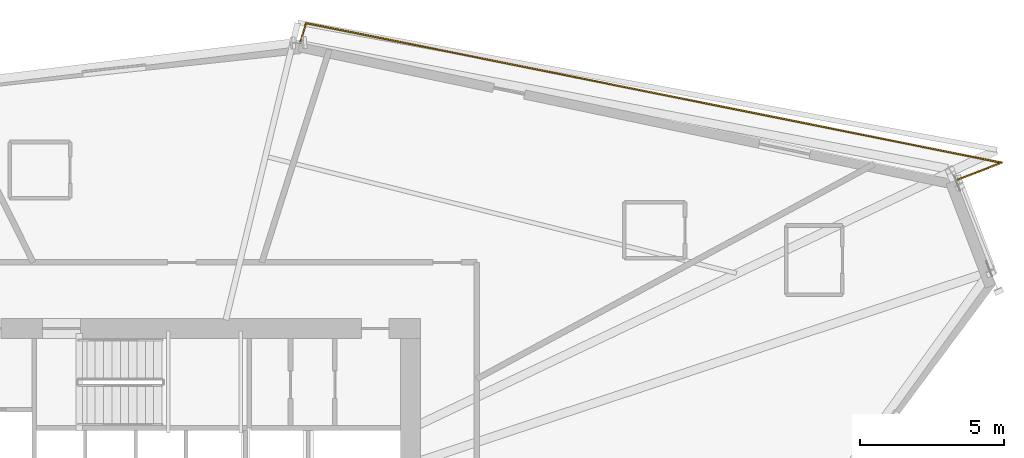
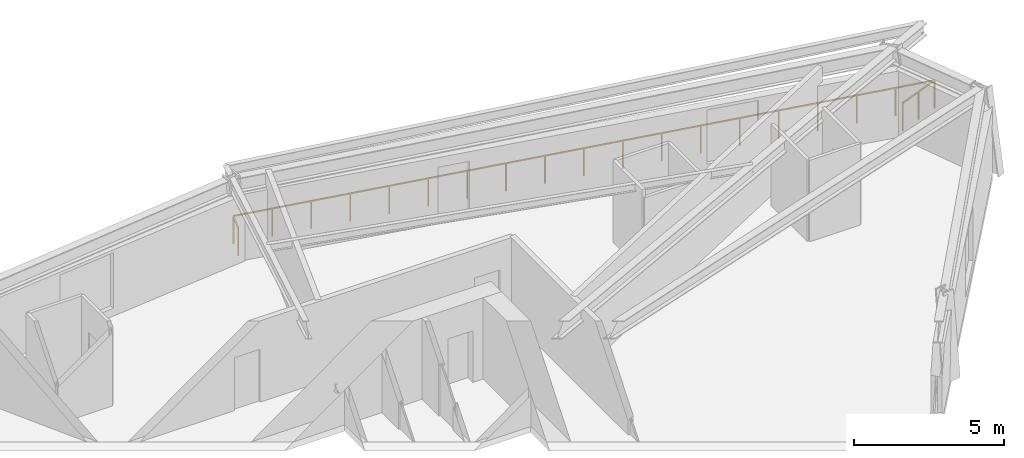
# One storey, part 18 of 18: 1 railing.
"""IFC4 building model written with IfcOpenShell, lengths in metres."""

from ifc_helpers import new_model, si_unit, direction, frame, origin, origin_2d, place, context, subcontext, project, spatial, rectangle, extrude, material, type_object, element, save


model = new_model("IFC4")

# Units and contexts
model_context = context("Model", 3, precision=1e-05, world=origin(), true_north=direction((0.0, 1.0)))
body_context = subcontext(model_context, "Body", "Model", "MODEL_VIEW")
ifc_project = project(units=[si_unit("LENGTHUNIT", "METRE"), si_unit("AREAUNIT", "SQUARE_METRE"), si_unit("VOLUMEUNIT", "CUBIC_METRE"), si_unit("PLANEANGLEUNIT", "RADIAN"), si_unit("MASSUNIT", "GRAM", prefix="KILO")], contexts=[model_context])

# Site, building, storey
site_placement = place(None, origin())
site = spatial("IfcSite", under=ifc_project, at=site_placement, CompositionType="ELEMENT")
building_placement = place(site_placement, origin())
building = spatial("IfcBuilding", under=site, at=building_placement, Name="Olszyna Solenne Hotel", CompositionType="ELEMENT")
storey_placement = place(building_placement, frame((0.0, 0.0, 119.89990234375)))
storey = spatial("IfcBuildingStorey", under=building, at=storey_placement, Name="L31", CompositionType="ELEMENT", Elevation=119.89990234375)

# Railing
ifc_material = material(Name="Anodised bronze aluminium", Category="aluminium")
railing_type = type_object("IfcRailingType", Name="GR-110", PredefinedType="BALUSTRADE", material=ifc_material)
railing_placement = place(storey_placement, frame((65.180908203125, 39.19384765625, 0.0)))
element("IfcRailing", 1, at=railing_placement, inside=storey, type_object=railing_type, Name="Loggia balcony balustrade guard GR-L31-LG1", PredefinedType="BALUSTRADE", context=body_context, shape_type="SweptSolid", body=[
    extrude(rectangle(XDim=0.048095703125, YDim=0.048095703125, at=origin_2d()), frame((0.0, 0.0, 1.1259765625), z_axis=(0.93277167102, 0.360467765193, 0.0), x_axis=(-0.360467765193, 0.93277167102, 0.0)), (0.0, 0.0, 1.0), 1.69189453125),
    extrude(rectangle(XDim=0.048095703125, YDim=0.048095703125, at=origin_2d()), frame((1.578125, 0.60986328125, 1.1259765625), z_axis=(-0.980444631922, 0.196795131382, 0.0), x_axis=(-0.196795131382, -0.980444631922, 0.0)), (0.0, 0.0, 1.0), 24.614501953125),
    extrude(rectangle(XDim=0.048095703125, YDim=0.048095703125, at=origin_2d()), frame((-22.554931640625, 5.453857421875, 1.1259765625), z_axis=(-0.294666344596, -0.955600201634, 0.0), x_axis=(0.955600201634, -0.294666344596, 0.0)), (0.0, 0.0, 1.0), 0.709228515625),
    extrude(rectangle(XDim=0.0419921875, YDim=0.0419921875, at=origin_2d()), origin(), (0.0, 0.0, 1.0), 1.101806640625),
    extrude(rectangle(XDim=0.0419921875, YDim=0.0419921875, at=origin_2d()), frame((0.7890625, 0.304931640625, 0.0)), (0.0, 0.0, 1.0), 1.101806640625),
    extrude(rectangle(XDim=0.0419921875, YDim=0.0419921875, at=origin_2d()), frame((1.578125, 0.60986328125, 0.0)), (0.0, 0.0, 1.0), 1.101806640625),
    extrude(rectangle(XDim=0.0419921875, YDim=0.0419921875, at=origin_2d()), frame((0.2373046875, 0.87890625, 0.0)), (0.0, 0.0, 1.0), 1.101806640625),
    extrude(rectangle(XDim=0.0419921875, YDim=0.0419921875, at=origin_2d()), frame((-1.103271484375, 1.148193359375, 0.0)), (0.0, 0.0, 1.0), 1.101806640625),
    extrude(rectangle(XDim=0.0419921875, YDim=0.0419921875, at=origin_2d()), frame((-2.444091796875, 1.417236328125, 0.0)), (0.0, 0.0, 1.0), 1.101806640625),
    extrude(rectangle(XDim=0.0419921875, YDim=0.0419921875, at=origin_2d()), frame((-3.78466796875, 1.686279296875, 0.0)), (0.0, 0.0, 1.0), 1.101806640625),
    extrude(rectangle(XDim=0.0419921875, YDim=0.0419921875, at=origin_2d()), frame((-5.12548828125, 1.955322265625, 0.0)), (0.0, 0.0, 1.0), 1.101806640625),
    extrude(rectangle(XDim=0.0419921875, YDim=0.0419921875, at=origin_2d()), frame((-6.46630859375, 2.224609375, 0.0)), (0.0, 0.0, 1.0), 1.101806640625),
    extrude(rectangle(XDim=0.0419921875, YDim=0.0419921875, at=origin_2d()), frame((-7.806884765625, 2.49365234375, 0.0)), (0.0, 0.0, 1.0), 1.101806640625),
    extrude(rectangle(XDim=0.0419921875, YDim=0.0419921875, at=origin_2d()), frame((-9.147705078125, 2.7626953125, 0.0)), (0.0, 0.0, 1.0), 1.101806640625),
    extrude(rectangle(XDim=0.0419921875, YDim=0.0419921875, at=origin_2d()), frame((-10.48828125, 3.03173828125, 0.0)), (0.0, 0.0, 1.0), 1.101806640625),
    extrude(rectangle(XDim=0.0419921875, YDim=0.0419921875, at=origin_2d()), frame((-11.8291015625, 3.301025390625, 0.0)), (0.0, 0.0, 1.0), 1.101806640625),
    extrude(rectangle(XDim=0.0419921875, YDim=0.0419921875, at=origin_2d()), frame((-13.169921875, 3.570068359375, 0.0)), (0.0, 0.0, 1.0), 1.101806640625),
    extrude(rectangle(XDim=0.0419921875, YDim=0.0419921875, at=origin_2d()), frame((-14.510498046875, 3.839111328125, 0.0)), (0.0, 0.0, 1.0), 1.101806640625),
    extrude(rectangle(XDim=0.0419921875, YDim=0.0419921875, at=origin_2d()), frame((-15.851318359375, 4.1083984375, 0.0)), (0.0, 0.0, 1.0), 1.101806640625),
    extrude(rectangle(XDim=0.0419921875, YDim=0.0419921875, at=origin_2d()), frame((-17.192138671875, 4.37744140625, 0.0)), (0.0, 0.0, 1.0), 1.101806640625),
    extrude(rectangle(XDim=0.0419921875, YDim=0.0419921875, at=origin_2d()), frame((-18.53271484375, 4.646484375, 0.0)), (0.0, 0.0, 1.0), 1.101806640625),
    extrude(rectangle(XDim=0.0419921875, YDim=0.0419921875, at=origin_2d()), frame((-19.87353515625, 4.91552734375, 0.0)), (0.0, 0.0, 1.0), 1.101806640625),
    extrude(rectangle(XDim=0.0419921875, YDim=0.0419921875, at=origin_2d()), frame((-21.214111328125, 5.184814453125, 0.0)), (0.0, 0.0, 1.0), 1.101806640625),
    extrude(rectangle(XDim=0.0419921875, YDim=0.0419921875, at=origin_2d()), frame((-22.554931640625, 5.453857421875, 0.0)), (0.0, 0.0, 1.0), 1.101806640625),
    extrude(rectangle(XDim=0.0419921875, YDim=0.0419921875, at=origin_2d()), frame((-22.763916015625, 4.776123046875, 0.0)), (0.0, 0.0, 1.0), 1.101806640625),
])

save(model, "model.ifc")
